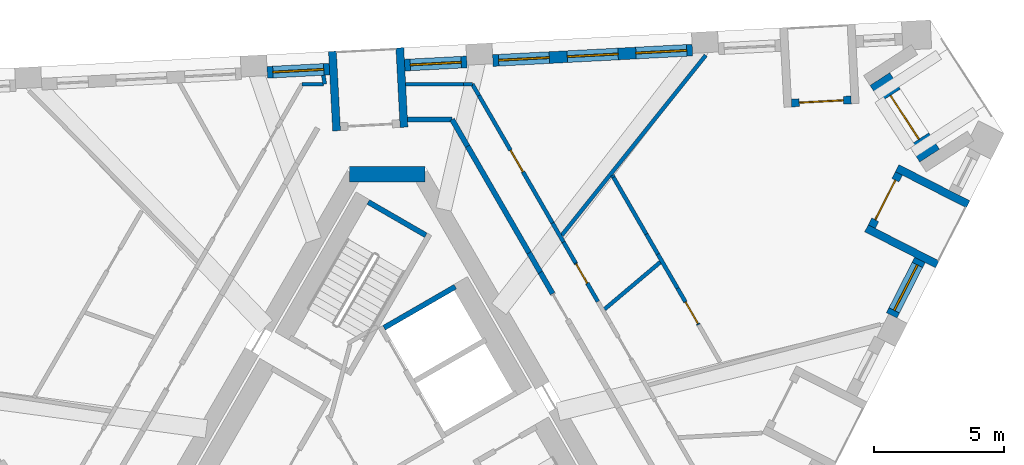
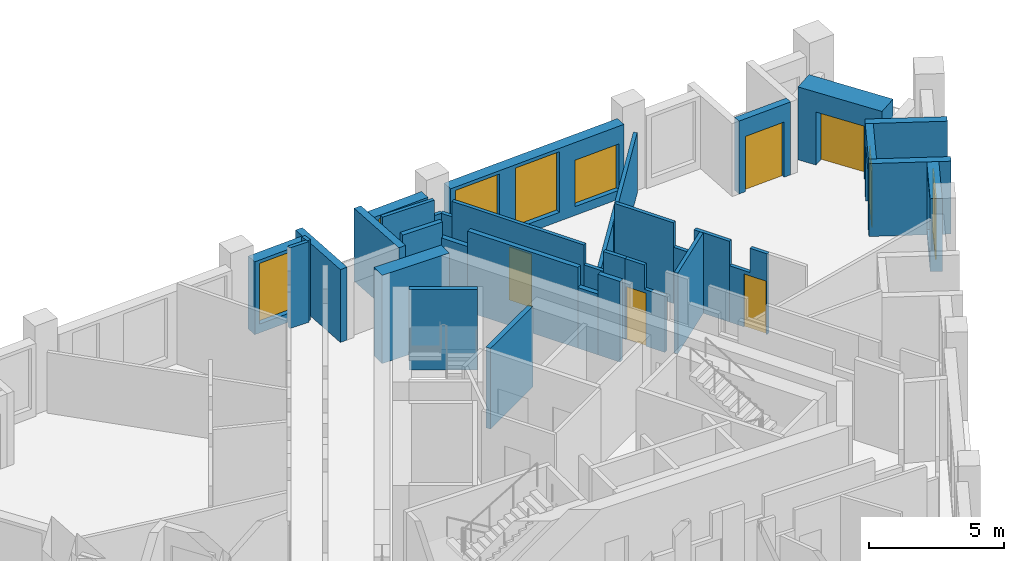
# One storey, part 7 of 12: 35 walls, 6 doors, 6 windows, 12 openings.
"""IFC4 building model written with IfcOpenShell, lengths in metres."""

import ifcopenshell
import ifcopenshell.guid

model = None  # the IFC model being written
_history = None  # IfcOwnerHistory: only IFC2X3 demands one
_inside = {}  # id of a spatial element -> (the spatial element, [elements in it])
_under = {}  # id of a project, library or spatial element -> (it, [spatial elements below it])
_declared = {}  # id of a project -> (the project, [libraries it declares])
_typed = {}  # id of a type object -> (the type object, [elements of that type])
_made_of = {}  # id of a material, layer set ... -> (it, [elements and type objects made of it])


def new_model(schema):
    """Start an empty IFC model of exactly this schema.

    Asked for "IFC4X3", IfcOpenShell would pick the latest addendum, in which some entities
    have other attributes; the version numbers below select the first issue.
    IFC2X3 requires an IfcOwnerHistory on every rooted entity: one is made here for all.
    """
    global model, _history
    if schema == "IFC4X3":
        model = ifcopenshell.file(schema_version=(4, 3, 0, 0))
    else:
        model = ifcopenshell.file(schema=schema)
    _inside.clear()
    _under.clear()
    _declared.clear()
    _typed.clear()
    _made_of.clear()
    _history = None
    if model.schema == "IFC2X3":
        org = make("IfcOrganization", Name="unknown")
        user = make(
            "IfcPersonAndOrganization",
            ThePerson=make("IfcPerson", FamilyName="unknown"),
            TheOrganization=org,
        )
        app = make(
            "IfcApplication",
            ApplicationDeveloper=org,
            Version="unknown",
            ApplicationFullName="unknown",
            ApplicationIdentifier="unknown",
        )
        _history = make(
            "IfcOwnerHistory",
            OwningUser=user,
            OwningApplication=app,
            ChangeAction="ADDED",
            CreationDate=0,
        )
    return model


def make(cls, **values):
    """One entity of the class cls with the attributes given. An attribute that is None is left unset."""
    return model.create_entity(
        cls, **{name: value for name, value in values.items() if value is not None}
    )


def rooted(cls, **values):
    """An entity with a GlobalId (a new one), such as an element, a storey or a relation."""
    return make(cls, GlobalId=ifcopenshell.guid.new(), OwnerHistory=_history, **values)


def si_unit(unit_type, name, prefix=None):
    """IfcSIUnit, for example si_unit("LENGTHUNIT", "METRE", prefix="MILLI")."""
    return make("IfcSIUnit", UnitType=unit_type, Prefix=prefix, Name=name)


def assignment(units):
    """IfcUnitAssignment: the units of a project."""
    return None if units is None else make("IfcUnitAssignment", Units=units)


def point(xyz):
    """IfcCartesianPoint."""
    return None if xyz is None else make("IfcCartesianPoint", Coordinates=xyz)


def direction(xyz):
    """IfcDirection."""
    return None if xyz is None else make("IfcDirection", DirectionRatios=xyz)


def frame(location, z_axis=None, x_axis=None):
    """IfcAxis2Placement3D, a coordinate frame: its origin and axes. An axis left out is left unset."""
    return make(
        "IfcAxis2Placement3D",
        Location=point(location),
        Axis=direction(z_axis),
        RefDirection=direction(x_axis),
    )


def frame_2d(location, x_axis=None):
    """IfcAxis2Placement2D, a coordinate frame in the plane: its origin and x axis."""
    return make(
        "IfcAxis2Placement2D", Location=point(location), RefDirection=direction(x_axis)
    )


def origin():
    """The frame at (0, 0, 0) with its axes left unset."""
    return frame((0.0, 0.0, 0.0))


def place(relative_to, where):
    """IfcLocalPlacement: puts the frame where relative to a parent placement (None: the world)."""
    return make(
        "IfcLocalPlacement", PlacementRelTo=relative_to, RelativePlacement=where
    )


def context(
    kind, dimensions, precision=None, world=None, true_north=None, identifier=None
):
    """IfcGeometricRepresentationContext, for example the 3D "Model" context."""
    return make(
        "IfcGeometricRepresentationContext",
        ContextIdentifier=identifier,
        ContextType=kind,
        CoordinateSpaceDimension=dimensions,
        Precision=precision,
        WorldCoordinateSystem=world,
        TrueNorth=true_north,
    )


def subcontext(parent, identifier, kind, view, scale=None):
    """IfcGeometricRepresentationSubContext, for example "Body" below "Model"."""
    return make(
        "IfcGeometricRepresentationSubContext",
        ContextIdentifier=identifier,
        ContextType=kind,
        ParentContext=parent,
        TargetScale=scale,
        TargetView=view,
    )


def project(units=None, contexts=None):
    """IfcProject with its units and contexts."""
    return rooted(
        "IfcProject",
        Name="project",
        RepresentationContexts=contexts,
        UnitsInContext=assignment(units),
    )


def spatial(cls, under=None, at=None, **own):
    """A site, building, storey or space (cls), placed at a placement, below another one or the project."""
    s = rooted(cls, ObjectPlacement=at, **own)
    if under is not None:
        _under.setdefault(under.id(), (under, []))[1].append(s)
    return s


def polyline(points):
    """IfcPolyline through the points."""
    return make("IfcPolyline", Points=[point(p) for p in points])


def profile(cls, at=None, kind="AREA", **sizes):
    """A parametric profile (cls). Its sizes go by their IFC names, for example OverallWidth=200.0."""
    return make(cls, ProfileType=kind, Position=at, **sizes)


def rectangle(**sizes):
    """IfcRectangleProfileDef."""
    return profile("IfcRectangleProfileDef", **sizes)


def outline(outer, holes=None, kind="AREA"):
    """IfcArbitraryClosedProfileDef: a profile drawn as a closed curve; with holes, ...WithVoids."""
    if holes is None:
        return make("IfcArbitraryClosedProfileDef", ProfileType=kind, OuterCurve=outer)
    return make(
        "IfcArbitraryProfileDefWithVoids",
        ProfileType=kind,
        OuterCurve=outer,
        InnerCurves=holes,
    )


def extrude(swept, where, along, depth):
    """IfcExtrudedAreaSolid: the profile swept, set in the frame where, extruded along a direction by depth."""
    return make(
        "IfcExtrudedAreaSolid",
        SweptArea=swept,
        Position=where,
        ExtrudedDirection=direction(along),
        Depth=depth,
    )


def shape(context_of_items, identifier, shape_type, items):
    """IfcShapeRepresentation: the items that make up one representation, for example the "Body"."""
    return make(
        "IfcShapeRepresentation",
        ContextOfItems=context_of_items,
        RepresentationIdentifier=identifier,
        RepresentationType=shape_type,
        Items=items,
    )


def material(Name=None, Category=None):
    """IfcMaterial."""
    return make("IfcMaterial", Name=Name, Category=Category)


def layer(
    of_material, thickness, ventilated=None, Name=None, Category=None, Priority=None
):
    """IfcMaterialLayer: one layer of a wall or slab, of a material (None: an air gap)."""
    return make(
        "IfcMaterialLayer",
        Material=of_material,
        LayerThickness=thickness,
        IsVentilated=ventilated,
        Name=Name,
        Category=Category,
        Priority=Priority,
    )


def layer_set(layers, Name=None):
    """IfcMaterialLayerSet."""
    return make("IfcMaterialLayerSet", MaterialLayers=layers, LayerSetName=Name)


def made_of(thing, what):
    """Note that an element or type object is made of a material, layer set ...; save() writes the relation."""
    if what is not None:
        _made_of.setdefault(what.id(), (what, []))[1].append(thing)
    return thing


def type_object(cls, material=None, **own):
    """A type object (cls), such as IfcWallType, which elements share."""
    return made_of(rooted(cls, **own), material)


def element(
    cls,
    number,
    at=None,
    inside=None,
    cuts=None,
    type_object=None,
    material=None,
    context=None,
    identifier="Body",
    shape_type=None,
    held_by="IfcProductDefinitionShape",
    body=None,
    shapes=None,
    **own,
):
    """One element of the class cls, such as IfcWall. Its Tag is "e" and its number.

    at: its placement. inside: the storey or other place that contains it. cuts: it is an
    opening in that element (IfcRelVoidsElement). A single representation is given by context,
    identifier, shape_type and body (its items); several are given by shapes. held_by: the class
    of the entity that holds the representations. save() writes the other relations.
    """
    e = rooted(cls, Tag="e%d" % number, ObjectPlacement=at, **own)
    if body is not None:
        shapes = [shape(context, identifier, shape_type, body)]
    if shapes is not None:
        e.Representation = make(held_by, Representations=shapes)
    if inside is not None:
        _inside.setdefault(inside.id(), (inside, []))[1].append(e)
    if cuts is not None:
        rooted(
            "IfcRelVoidsElement", RelatingBuildingElement=cuts, RelatedOpeningElement=e
        )
    if type_object is not None:
        _typed.setdefault(type_object.id(), (type_object, []))[1].append(e)
    return made_of(e, material)


def fill(opening, filler):
    """IfcRelFillsElement: the door or window that sits in an opening."""
    return rooted(
        "IfcRelFillsElement",
        RelatingOpeningElement=opening,
        RelatedBuildingElement=filler,
    )


def aggregate(whole, parts):
    """IfcRelAggregates: a whole, such as a stair, and the parts it consists of."""
    return rooted("IfcRelAggregates", RelatingObject=whole, RelatedObjects=parts)


def save(model, path):
    """Write the relations noted so far, then the file.

    IfcRelAggregates (storeys below a building ...), IfcRelContainedInSpatialStructure (elements
    in a storey), IfcRelDefinesByType, IfcRelAssociatesMaterial and IfcRelDeclares: one each for
    every whole, place, type object, material and project.
    """
    for whole, parts in _under.values():
        aggregate(whole, parts)
    for where, things in _inside.values():
        rooted(
            "IfcRelContainedInSpatialStructure",
            RelatedElements=things,
            RelatingStructure=where,
        )
    for kind, things in _typed.values():
        rooted("IfcRelDefinesByType", RelatedObjects=things, RelatingType=kind)
    for what, things in _made_of.values():
        rooted("IfcRelAssociatesMaterial", RelatedObjects=things, RelatingMaterial=what)
    for by, libraries in _declared.values():
        rooted("IfcRelDeclares", RelatingContext=by, RelatedDefinitions=libraries)
    model.write(path)


model = new_model("IFC4")

# Units and contexts
model_context = context("Model", 3, precision=1e-05, world=origin(), true_north=direction((0.0, 1.0)))
body_context = subcontext(model_context, "Body", "Model", "MODEL_VIEW")
ifc_project = project(units=[si_unit("LENGTHUNIT", "METRE"), si_unit("AREAUNIT", "SQUARE_METRE"), si_unit("VOLUMEUNIT", "CUBIC_METRE"), si_unit("PLANEANGLEUNIT", "RADIAN"), si_unit("MASSUNIT", "GRAM", prefix="KILO")], contexts=[model_context])

# Site, building, storey
site_placement = place(None, origin())
site = spatial("IfcSite", under=ifc_project, at=site_placement, CompositionType="ELEMENT")
building_placement = place(site_placement, origin())
building = spatial("IfcBuilding", under=site, at=building_placement, Name="Tramontana Tower", CompositionType="ELEMENT")
storey_placement = place(building_placement, frame((0.0, 0.0, 274.39990234375)))
storey = spatial("IfcBuildingStorey", under=building, at=storey_placement, Name="L64", CompositionType="ELEMENT", Elevation=274.39990234375)

# Walls
ifc_material_1 = material(Name="Concrete 70 MPa", Category="concrete")
ifc_layer_1 = layer(ifc_material_1, 0.60009765625)
ifc_layer_set_1 = layer_set([ifc_layer_1], Name="Core wall 600 70 MPa")
wall_type_1 = type_object("IfcWallType", Name="Core wall 600 70 MPa", PredefinedType="SHEAR", material=ifc_layer_set_1)
wall_1_placement = place(storey_placement, frame((1.443359375, 10.699951171875, 0.0), z_axis=(0.0, 0.0, 1.0), x_axis=(-1.0, 0.0, 0.0)))
element("IfcWall", 1, at=wall_1_placement, inside=storey, type_object=wall_type_1, Name="Core wall C0 L64", PredefinedType="SHEAR", context=body_context, shape_type="SweptSolid", body=[
    extrude(rectangle(XDim=2.88671875, YDim=0.60009765625, at=frame_2d((1.443359375, 0.0))), origin(), (0.0, 0.0, 1.0), 4.0),
])
ifc_material_2 = material(Name="Blockwork", Category="masonry")
ifc_layer_2 = layer(ifc_material_2, 0.199951171875)
ifc_layer_set_2 = layer_set([ifc_layer_2], Name="ENTRY WALL 200")
wall_type_2 = type_object("IfcWallType", Name="ENTRY WALL 200", PredefinedType="SOLIDWALL", material=ifc_layer_set_2)
wall_2_placement = place(storey_placement, frame((0.774658203125, 12.800048828125, 0.0), z_axis=(0.0, 0.0, 1.0), x_axis=(1.0, 0.0, 0.0)))
element("IfcWall", 2, at=wall_2_placement, inside=storey, type_object=wall_type_2, Name="Wall v70-ew4", PredefinedType="SOLIDWALL", context=body_context, shape_type="SweptSolid", body=[
    extrude(rectangle(XDim=1.7080078125, YDim=0.199951171875, at=frame_2d((0.85400390625, 0.0))), origin(), (0.0, 0.0, 1.0), 3.650146484375),
])
wall_3_placement = place(storey_placement, frame((2.482666015625, 12.800048828125, 0.0), z_axis=(0.0, 0.0, 1.0), x_axis=(0.499983247966, -0.86603507536, 0.0)))
element("IfcWall", 3, at=wall_3_placement, inside=storey, type_object=wall_type_2, Name="Wall v70-ew5-0", PredefinedType="SOLIDWALL", context=body_context, shape_type="SweptSolid", body=[
    extrude(rectangle(XDim=1.1884765625, YDim=0.199951171875, at=frame_2d((0.59423828125, 0.0))), origin(), (0.0, 0.0, 1.0), 2.9501953125),
])
wall_4_placement = place(storey_placement, frame((3.076904296875, 11.770751953125, 0.0), z_axis=(0.0, 0.0, 1.0), x_axis=(0.500007683529, -0.866020967652, 0.0)))
element("IfcWall", 4, at=wall_4_placement, inside=storey, type_object=wall_type_2, Name="Wall v70-ew5-1", PredefinedType="SOLIDWALL", context=body_context, shape_type="SweptSolid", body=[
    extrude(rectangle(XDim=4.71728515625, YDim=0.199951171875, at=frame_2d((2.358642578125, 0.0))), origin(), (0.0, 0.0, 1.0), 3.650146484375),
])
wall_5_placement = place(storey_placement, frame((5.435546875, 7.685546875, 0.0), z_axis=(0.0, 0.0, 1.0), x_axis=(0.500056482814, -0.86599279096, 0.0)))
element("IfcWall", 5, at=wall_5_placement, inside=storey, type_object=wall_type_2, Name="Wall v70-ew5-2", PredefinedType="SOLIDWALL", context=body_context, shape_type="SweptSolid", body=[
    extrude(rectangle(XDim=0.86474609375, YDim=0.199951171875, at=frame_2d((0.432373046875, 0.0))), origin(), (0.0, 0.0, 1.0), 2.75),
])
wall_6_placement = place(storey_placement, frame((5.867919921875, 6.936767578125, 0.0), z_axis=(0.0, 0.0, 1.0), x_axis=(0.499857464265, -0.866107681191, 0.0)))
element("IfcWall", 6, at=wall_6_placement, inside=storey, type_object=wall_type_2, Name="Wall v70-ew5-3", PredefinedType="SOLIDWALL", context=body_context, shape_type="SweptSolid", body=[
    extrude(rectangle(XDim=0.939208984375, YDim=0.199951171875, at=frame_2d((0.4697265625, 0.0))), origin(), (0.0, 0.0, 1.0), 3.650146484375),
])

# Wall, opening, window
ifc_material_3 = material(Name="Precast concrete 60 MPa", Category="concrete")
ifc_layer_3 = layer(ifc_material_3, 0.449951171875)
ifc_layer_set_3 = layer_set([ifc_layer_3], Name="Precast concrete 60 MPa, 450 mm")
wall_type_3 = type_object("IfcWallType", Name="EW1 Stone-faced precast wall 450", PredefinedType="SOLIDWALL", material=ifc_layer_set_3)
wall_7_placement = place(storey_placement, frame((19.333740234375, 5.28955078125, 0.0), z_axis=(0.0, 0.0, 1.0), x_axis=(0.453951830128, 0.891026226283, 0.0)))
wall_7 = element("IfcWall", 7, at=wall_7_placement, inside=storey, type_object=wall_type_3, Name="External wall L64 face 1 bay 5", PredefinedType="SOLIDWALL", context=body_context, shape_type="SweptSolid", body=[
    extrude(rectangle(XDim=2.38671875, YDim=0.449951171875, at=frame_2d((1.193359375, 0.0))), origin(), (0.0, 0.0, 1.0), 3.300048828125),
])
opening_1_placement = place(wall_7_placement, frame((0.21826171875, 0.0, 0.39990234375)))
opening_1 = element("IfcOpeningElement", 8, at=opening_1_placement, cuts=wall_7, Name="Opening M3", PredefinedType="OPENING", context=body_context, shape_type="SweptSolid", body=[
    extrude(rectangle(XDim=1.949951171875, YDim=2.75, at=frame_2d((0.97509765625, 1.375))), frame((0.0, 0.23486328125, 0.0), z_axis=(0.0, -1.0, 0.0), x_axis=(1.0, 0.0, 0.0)), (0.0, 0.0, 1.0), 0.469970703125),
])
ifc_material_4 = material(Name="Aluminum frame, double glazing unit", Category="aluminium")
window_type_1 = type_object("IfcWindowType", Name="M3 Window 1.95 x 2.75", PartitioningType="SINGLE_PANEL", PredefinedType="WINDOW", material=ifc_material_4)
window_1_placement = place(opening_1_placement, origin())
window_1 = element("IfcWindow", 9, at=window_1_placement, inside=storey, type_object=window_type_1, Name="Window M3 L64 face 1 module 13", OverallHeight=2.75, OverallWidth=1.949951171875, PartitioningType="SINGLE_PANEL", PredefinedType="WINDOW", context=body_context, shape_type="SweptSolid", body=[
    extrude(rectangle(XDim=1.949951171875, YDim=2.75, at=frame_2d((0.97509765625, 1.375))), frame((0.0, 0.030029296875, 0.0), z_axis=(0.0, -1.0, 0.0), x_axis=(1.0, 0.0, 0.0)), (0.0, 0.0, 1.0), 0.06005859375),
])
fill(opening_1, window_1)

# Wall, openings, windows
wall_8_placement = place(storey_placement, frame((11.697265625, 15.45849609375, 0.0), z_axis=(0.0, 0.0, 1.0), x_axis=(-0.998628023429, -0.052364786088, 0.0)))
wall_8 = element("IfcWall", 10, at=wall_8_placement, inside=storey, type_object=wall_type_3, Name="External wall L64 face 2 bay 2", PredefinedType="SOLIDWALL", context=body_context, shape_type="SweptSolid", body=[
    extrude(rectangle(XDim=7.66015625, YDim=0.449951171875, at=frame_2d((3.830078125, 0.0))), origin(), (0.0, 0.0, 1.0), 3.300048828125),
])
opening_2_placement = place(wall_8_placement, frame((0.21826171875, 0.0, 0.39990234375)))
opening_2 = element("IfcOpeningElement", 11, at=opening_2_placement, cuts=wall_8, Name="Opening M3L", PredefinedType="OPENING", context=body_context, shape_type="SweptSolid", body=[
    extrude(rectangle(XDim=1.949951171875, YDim=2.10009765625, at=frame_2d((0.97509765625, 1.050048828125))), frame((0.0, 0.23486328125, 0.0), z_axis=(0.0, -1.0, 0.0), x_axis=(1.0, 0.0, 0.0)), (0.0, 0.0, 1.0), 0.469970703125),
])
opening_3_placement = place(wall_8_placement, frame((2.855224609375, 0.0, 0.39990234375)))
opening_3 = element("IfcOpeningElement", 12, at=opening_3_placement, cuts=wall_8, Name="Opening M3", PredefinedType="OPENING", context=body_context, shape_type="SweptSolid", body=[
    extrude(rectangle(XDim=1.949951171875, YDim=2.75, at=frame_2d((0.97509765625, 1.375))), frame((0.0, 0.23486328125, 0.0), z_axis=(0.0, -1.0, 0.0), x_axis=(1.0, 0.0, 0.0)), (0.0, 0.0, 1.0), 0.469970703125),
])
opening_4_placement = place(wall_8_placement, frame((5.491943359375, 0.0, 0.39990234375)))
opening_4 = element("IfcOpeningElement", 13, at=opening_4_placement, cuts=wall_8, Name="Opening M3", PredefinedType="OPENING", context=body_context, shape_type="SweptSolid", body=[
    extrude(rectangle(XDim=1.949951171875, YDim=2.75, at=frame_2d((0.97509765625, 1.375))), frame((0.0, 0.23486328125, 0.0), z_axis=(0.0, -1.0, 0.0), x_axis=(1.0, 0.0, 0.0)), (0.0, 0.0, 1.0), 0.469970703125),
])
window_2_placement = place(opening_3_placement, origin())
window_2 = element("IfcWindow", 14, at=window_2_placement, inside=storey, type_object=window_type_1, Name="Window M3 L64 face 2 module 5", OverallHeight=2.75, OverallWidth=1.949951171875, PartitioningType="SINGLE_PANEL", PredefinedType="WINDOW", context=body_context, shape_type="SweptSolid", body=[
    extrude(rectangle(XDim=1.949951171875, YDim=2.75, at=frame_2d((0.97509765625, 1.375))), frame((0.0, 0.030029296875, 0.0), z_axis=(0.0, -1.0, 0.0), x_axis=(1.0, 0.0, 0.0)), (0.0, 0.0, 1.0), 0.06005859375),
])
fill(opening_3, window_2)
window_3_placement = place(opening_4_placement, origin())
window_3 = element("IfcWindow", 15, at=window_3_placement, inside=storey, type_object=window_type_1, Name="Window M3 L64 face 2 module 6", OverallHeight=2.75, OverallWidth=1.949951171875, PartitioningType="SINGLE_PANEL", PredefinedType="WINDOW", context=body_context, shape_type="SweptSolid", body=[
    extrude(rectangle(XDim=1.949951171875, YDim=2.75, at=frame_2d((0.97509765625, 1.375))), frame((0.0, 0.030029296875, 0.0), z_axis=(0.0, -1.0, 0.0), x_axis=(1.0, 0.0, 0.0)), (0.0, 0.0, 1.0), 0.06005859375),
])
fill(opening_4, window_3)
ifc_material_5 = material(Name="Aluminum frame, double glazing unit", Category="aluminium")
window_type_2 = type_object("IfcWindowType", Name="M3L Window 1.95 x 2.1", PartitioningType="SINGLE_PANEL", PredefinedType="WINDOW", material=ifc_material_5)
window_4_placement = place(opening_2_placement, origin())
window_4 = element("IfcWindow", 16, at=window_4_placement, inside=storey, type_object=window_type_2, Name="Window M3L L64 face 2 module 4", OverallHeight=2.10009765625, OverallWidth=1.949951171875, PartitioningType="SINGLE_PANEL", PredefinedType="WINDOW", context=body_context, shape_type="SweptSolid", body=[
    extrude(rectangle(XDim=1.949951171875, YDim=2.10009765625, at=frame_2d((0.97509765625, 1.050048828125))), frame((0.0, 0.030029296875, 0.0), z_axis=(0.0, -1.0, 0.0), x_axis=(1.0, 0.0, 0.0)), (0.0, 0.0, 1.0), 0.06005859375),
])
fill(opening_2, window_4)

# Wall, opening, window
wall_9_placement = place(storey_placement, frame((3.049072265625, 15.005126953125, 0.0), z_axis=(0.0, 0.0, 1.0), x_axis=(-0.998627701279, -0.052370929331, 0.0)))
wall_9 = element("IfcWall", 17, at=wall_9_placement, inside=storey, type_object=wall_type_3, Name="External wall L64 face 2 bay 3", PredefinedType="SOLIDWALL", context=body_context, shape_type="SweptSolid", body=[
    extrude(rectangle(XDim=2.38671875, YDim=0.449951171875, at=frame_2d((1.193359375, 0.0))), origin(), (0.0, 0.0, 1.0), 3.300048828125),
])
opening_5_placement = place(wall_9_placement, frame((0.21826171875, 0.0, 0.39990234375)))
opening_5 = element("IfcOpeningElement", 18, at=opening_5_placement, cuts=wall_9, Name="Opening M3", PredefinedType="OPENING", context=body_context, shape_type="SweptSolid", body=[
    extrude(rectangle(XDim=1.949951171875, YDim=2.75, at=frame_2d((0.97509765625, 1.375))), frame((0.0, 0.23486328125, 0.0), z_axis=(0.0, -1.0, 0.0), x_axis=(1.0, 0.0, 0.0)), (0.0, 0.0, 1.0), 0.469970703125),
])
window_5_placement = place(opening_5_placement, origin())
window_5 = element("IfcWindow", 19, at=window_5_placement, inside=storey, type_object=window_type_1, Name="Window M3 L64 face 2 module 7", OverallHeight=2.75, OverallWidth=1.949951171875, PartitioningType="SINGLE_PANEL", PredefinedType="WINDOW", context=body_context, shape_type="SweptSolid", body=[
    extrude(rectangle(XDim=1.949951171875, YDim=2.75, at=frame_2d((0.97509765625, 1.375))), frame((0.0, 0.030029296875, 0.0), z_axis=(0.0, -1.0, 0.0), x_axis=(1.0, 0.0, 0.0)), (0.0, 0.0, 1.0), 0.06005859375),
])
fill(opening_5, window_5)

wall_10_placement = place(storey_placement, frame((-2.21728515625, 14.729248046875, 0.0), z_axis=(0.0, 0.0, 1.0), x_axis=(-0.998627701279, -0.052370929331, 0.0)))
wall_10 = element("IfcWall", 20, at=wall_10_placement, inside=storey, type_object=wall_type_3, Name="External wall L64 face 2 bay 3", PredefinedType="SOLIDWALL", context=body_context, shape_type="SweptSolid", body=[
    extrude(rectangle(XDim=2.38671875, YDim=0.449951171875, at=frame_2d((1.193359375, 0.0))), origin(), (0.0, 0.0, 1.0), 3.300048828125),
])
opening_6_placement = place(wall_10_placement, frame((0.21826171875, 0.0, 0.39990234375)))
opening_6 = element("IfcOpeningElement", 21, at=opening_6_placement, cuts=wall_10, Name="Opening M3", PredefinedType="OPENING", context=body_context, shape_type="SweptSolid", body=[
    extrude(rectangle(XDim=1.949951171875, YDim=2.75, at=frame_2d((0.97509765625, 1.375))), frame((0.0, 0.23486328125, 0.0), z_axis=(0.0, -1.0, 0.0), x_axis=(1.0, 0.0, 0.0)), (0.0, 0.0, 1.0), 0.469970703125),
])
window_6_placement = place(opening_6_placement, origin())
window_6 = element("IfcWindow", 22, at=window_6_placement, inside=storey, type_object=window_type_1, Name="Window M3 L64 face 2 module 9", OverallHeight=2.75, OverallWidth=1.949951171875, PartitioningType="SINGLE_PANEL", PredefinedType="WINDOW", context=body_context, shape_type="SweptSolid", body=[
    extrude(rectangle(XDim=1.949951171875, YDim=2.75, at=frame_2d((0.97509765625, 1.375))), frame((0.0, 0.030029296875, 0.0), z_axis=(0.0, -1.0, 0.0), x_axis=(1.0, 0.0, 0.0)), (0.0, 0.0, 1.0), 0.06005859375),
])
fill(opening_6, window_6)

# Wall, opening, door
ifc_material_6 = material(Name="Precast concrete 60 MPa", Category="concrete")
ifc_layer_4 = layer(ifc_material_6, 0.89990234375)
ifc_layer_set_4 = layer_set([ifc_layer_4], Name="EW2 Stone-faced corner loggia wall 900")
wall_type_4 = type_object("IfcWallType", Name="EW2 Stone-faced corner loggia wall 900", PredefinedType="SOLIDWALL", material=ifc_layer_set_4)
wall_11_placement = place(storey_placement, frame((18.88134765625, 14.348388671875, 0.0), z_axis=(0.0, 0.0, 1.0), x_axis=(0.544647498784, -0.838665071449, 0.0)))
wall_11 = element("IfcWall", 23, at=wall_11_placement, inside=storey, type_object=wall_type_4, Name="Corner loggia wall L64 K72", PredefinedType="SOLIDWALL", context=body_context, shape_type="SweptSolid", body=[
    extrude(rectangle(XDim=3.5, YDim=0.89990234375, at=frame_2d((1.75, 0.0))), origin(), (0.0, 0.0, 1.0), 3.300048828125),
])
opening_7_placement = place(wall_11_placement, frame((0.75, 0.0, 0.0)))
opening_7 = element("IfcOpeningElement", 24, at=opening_7_placement, cuts=wall_11, Name="Opening BD-72C", PredefinedType="OPENING", context=body_context, shape_type="SweptSolid", body=[
    extrude(rectangle(XDim=2.0, YDim=2.39990234375, at=frame_2d((1.0, 1.199951171875))), frame((0.0, 0.4599609375, 0.0), z_axis=(0.0, -1.0, 0.0), x_axis=(1.0, 0.0, 0.0)), (0.0, 0.0, 1.0), 0.919921875),
])
ifc_material_7 = material(Name="Aluminum frame, double glazing unit", Category="aluminium")
door_type_1 = type_object("IfcDoorType", Name="BC1 Sliding door 2 x 2.4", OperationType="SLIDING_TO_LEFT", PredefinedType="DOOR", material=ifc_material_7)
door_1_placement = place(opening_7_placement, origin())
door_1 = element("IfcDoor", 25, at=door_1_placement, inside=storey, type_object=door_type_1, Name="Corner loggia door L64 K72", OperationType="SLIDING_TO_LEFT", OverallHeight=2.39990234375, OverallWidth=2.0, PredefinedType="DOOR", context=body_context, shape_type="SweptSolid", body=[
    extrude(rectangle(XDim=2.0, YDim=2.39990234375, at=frame_2d((1.0, 1.199951171875))), frame((0.0, 0.02490234375, 0.0), z_axis=(0.0, -1.0, 0.0), x_axis=(1.0, 0.0, 0.0)), (0.0, 0.0, 1.0), 0.050048828125),
])
fill(opening_7, door_1)

ifc_material_8 = material(Name="Precast concrete 60 MPa", Category="concrete")
ifc_layer_5 = layer(ifc_material_8, 0.300048828125)
ifc_layer_set_5 = layer_set([ifc_layer_5], Name="LW1 Stone-faced loggia wall 300")
wall_type_5 = type_object("IfcWallType", Name="LW1 Stone-faced loggia wall 300", PredefinedType="SOLIDWALL", material=ifc_layer_set_5)
wall_12_placement = place(storey_placement, frame((18.571044921875, 8.693603515625, 0.0), z_axis=(0.0, 0.0, 1.0), x_axis=(0.453948171533, 0.89102809022, 0.0)))
wall_12 = element("IfcWall", 26, at=wall_12_placement, inside=storey, type_object=wall_type_5, Name="Loggia wall L64 G7S1.13", PredefinedType="SOLIDWALL", context=body_context, shape_type="SweptSolid", body=[
    extrude(rectangle(XDim=2.286865234375, YDim=0.300048828125, at=frame_2d((1.1435546875, 0.0))), origin(), (0.0, 0.0, 1.0), 3.300048828125),
])
opening_8_placement = place(wall_12_placement, frame((0.29345703125, 0.0, 0.0)))
opening_8 = element("IfcOpeningElement", 27, at=opening_8_placement, cuts=wall_12, Name="Opening BD-7S1-13", PredefinedType="OPENING", context=body_context, shape_type="SweptSolid", body=[
    extrude(rectangle(XDim=1.699951171875, YDim=2.5, at=frame_2d((0.85009765625, 1.25))), frame((0.0, 0.159912109375, 0.0), z_axis=(0.0, -1.0, 0.0), x_axis=(1.0, 0.0, 0.0)), (0.0, 0.0, 1.0), 0.320068359375),
])
ifc_material_9 = material(Name="Aluminum frame, double glazing unit", Category="aluminium")
door_type_2 = type_object("IfcDoorType", Name="BD3 Sliding door 1.7 x 2.5", OperationType="SLIDING_TO_LEFT", PredefinedType="DOOR", material=ifc_material_9)
door_2_placement = place(opening_8_placement, origin())
door_2 = element("IfcDoor", 28, at=door_2_placement, inside=storey, type_object=door_type_2, Name="Loggia door L64 G7S1.13", OperationType="SLIDING_TO_LEFT", OverallHeight=2.5, OverallWidth=1.699951171875, PredefinedType="DOOR", context=body_context, shape_type="SweptSolid", body=[
    extrude(rectangle(XDim=1.699951171875, YDim=2.5, at=frame_2d((0.85009765625, 1.25))), frame((0.0, 0.02490234375, 0.0), z_axis=(0.0, -1.0, 0.0), x_axis=(1.0, 0.0, 0.0)), (0.0, 0.0, 1.0), 0.050048828125),
])
fill(opening_8, door_2)

# Walls
for number, where, z_axis, x_axis, name in (
    (29, (21.086669921875, 7.243408203125, 0.0), (0.0, 0.0, 1.0), (-0.890991233495, 0.454020508165, 0.0), "Loggia return L64 G7S1.13a"),
    (30, (22.26123046875, 9.54833984375, 0.0), (0.0, 0.0, 1.0), (-0.891040107702, 0.453924582355, 0.0), "Loggia return L64 G7S1.13b"),
):
    element("IfcWall", number, at=place(storey_placement, frame(where, z_axis=z_axis, x_axis=x_axis)), inside=storey, type_object=wall_type_5, Name=name, PredefinedType="SOLIDWALL", context=body_context, shape_type="SweptSolid", body=[
        extrude(rectangle(XDim=3.050048828125, YDim=0.300048828125, at=frame_2d((1.52490234375, 0.0))), origin(), (0.0, 0.0, 1.0), 3.300048828125),
    ])

# Wall, opening, door
wall_13_placement = place(storey_placement, frame((17.779052734375, 13.549072265625, 0.0), z_axis=(0.0, 0.0, 1.0), x_axis=(-0.998630483018, -0.052317859155, 0.0)))
wall_13 = element("IfcWall", 31, at=wall_13_placement, inside=storey, type_object=wall_type_5, Name="Loggia wall L64 G7S2.1", PredefinedType="SOLIDWALL", context=body_context, shape_type="SweptSolid", body=[
    extrude(rectangle(XDim=2.28662109375, YDim=0.300048828125, at=frame_2d((1.143310546875, 0.0))), origin(), (0.0, 0.0, 1.0), 3.300048828125),
])
opening_9_placement = place(wall_13_placement, frame((0.29345703125, 0.0, 0.0)))
opening_9 = element("IfcOpeningElement", 32, at=opening_9_placement, cuts=wall_13, Name="Opening BD-7S2-01", PredefinedType="OPENING", context=body_context, shape_type="SweptSolid", body=[
    extrude(rectangle(XDim=1.699951171875, YDim=2.5, at=frame_2d((0.85009765625, 1.25))), frame((0.0, 0.159912109375, 0.0), z_axis=(0.0, -1.0, 0.0), x_axis=(1.0, 0.0, 0.0)), (0.0, 0.0, 1.0), 0.320068359375),
])
door_3_placement = place(opening_9_placement, origin())
door_3 = element("IfcDoor", 33, at=door_3_placement, inside=storey, type_object=door_type_2, Name="Loggia door L64 G7S2.1", OperationType="SLIDING_TO_LEFT", OverallHeight=2.5, OverallWidth=1.699951171875, PredefinedType="DOOR", context=body_context, shape_type="SweptSolid", body=[
    extrude(rectangle(XDim=1.699951171875, YDim=2.5, at=frame_2d((0.85009765625, 1.25))), frame((0.0, 0.02490234375, 0.0), z_axis=(0.0, -1.0, 0.0), x_axis=(1.0, 0.0, 0.0)), (0.0, 0.0, 1.0), 0.050048828125),
])
fill(opening_9, door_3)

# Walls
wall_14_placement = place(storey_placement, frame((0.48046875, 15.54638671875, 0.0), z_axis=(0.0, 0.0, 1.0), x_axis=(0.052352956549, -0.998628643661, 0.0)))
element("IfcWall", 34, at=wall_14_placement, inside=storey, type_object=wall_type_5, Name="Loggia return L64 G7S2.7a", PredefinedType="SOLIDWALL", context=body_context, shape_type="SweptSolid", body=[
    extrude(rectangle(XDim=3.0498046875, YDim=0.300048828125, at=frame_2d((1.52490234375, 0.0))), origin(), (0.0, 0.0, 1.0), 3.300048828125),
])
wall_15_placement = place(storey_placement, frame((-2.102783203125, 15.4111328125, 0.0), z_axis=(0.0, 0.0, 1.0), x_axis=(0.052348771756, -0.99862886304, 0.0)))
element("IfcWall", 35, at=wall_15_placement, inside=storey, type_object=wall_type_5, Name="Loggia return L64 G7S2.7b", PredefinedType="SOLIDWALL", context=body_context, shape_type="SweptSolid", body=[
    extrude(rectangle(XDim=3.050048828125, YDim=0.300048828125, at=frame_2d((1.52490234375, 0.0))), origin(), (0.0, 0.0, 1.0), 3.300048828125),
])
ifc_material_10 = material(Name="Gypsum board partition")
ifc_layer_6 = layer(ifc_material_10, 0.14990234375)
ifc_layer_set_6 = layer_set([ifc_layer_6], Name="PARTITION 150")
wall_type_6 = type_object("IfcWallType", Name="PARTITION 150", PredefinedType="PARTITIONING", material=ifc_layer_set_6)
wall_16_placement = place(storey_placement, frame((-3.261962890625, 14.14990234375, 0.0), z_axis=(0.0, 0.0, 1.0), x_axis=(1.0, 0.0, 0.0)))
element("IfcWall", 36, at=wall_16_placement, inside=storey, type_object=wall_type_6, Name="Wall v70-pw12", PredefinedType="PARTITIONING", context=body_context, shape_type="SweptSolid", body=[
    extrude(rectangle(XDim=0.82373046875, YDim=0.14990234375, at=frame_2d((0.411865234375, 0.0))), origin(), (0.0, 0.0, 1.0), 3.650146484375),
])
wall_17_placement = place(storey_placement, frame((-2.394287109375, 14.15478515625, 0.0), z_axis=(0.0, 0.0, 1.0), x_axis=(-0.16729669573, 0.985906595778, 0.0)))
element("IfcWall", 37, at=wall_17_placement, inside=storey, type_object=wall_type_6, Name="Wall v70-pw13", PredefinedType="PARTITIONING", context=body_context, shape_type="SweptSolid", body=[
    extrude(rectangle(XDim=0.341552734375, YDim=0.14990234375, at=frame_2d((0.1708984375, 0.0))), origin(), (0.0, 0.0, 1.0), 3.650146484375),
])
wall_18_placement = place(storey_placement, frame((0.703857421875, 14.14990234375, 0.0), z_axis=(0.0, 0.0, 1.0), x_axis=(1.0, 0.0, 0.0)))
element("IfcWall", 38, at=wall_18_placement, inside=storey, type_object=wall_type_6, Name="Wall v70-pw15-0", PredefinedType="PARTITIONING", context=body_context, shape_type="SweptSolid", body=[
    extrude(rectangle(XDim=2.216796875, YDim=0.14990234375, at=frame_2d((1.1083984375, 0.0))), origin(), (0.0, 0.0, 1.0), 3.650146484375),
])
wall_19_placement = place(storey_placement, frame((2.920654296875, 14.14990234375, 0.0), z_axis=(0.0, 0.0, 1.0), x_axis=(1.0, 0.0, 0.0)))
element("IfcWall", 39, at=wall_19_placement, inside=storey, type_object=wall_type_6, Name="Wall v70-pw15-1", PredefinedType="PARTITIONING", context=body_context, shape_type="SweptSolid", body=[
    extrude(rectangle(XDim=0.34130859375, YDim=0.14990234375, at=frame_2d((0.170654296875, 0.0))), origin(), (0.0, 0.0, 1.0), 2.9501953125),
])
wall_20_placement = place(storey_placement, frame((3.261962890625, 14.14990234375, 0.0), z_axis=(0.0, 0.0, 1.0), x_axis=(0.500115484592, -0.865958718457, 0.0)))
element("IfcWall", 40, at=wall_20_placement, inside=storey, type_object=wall_type_6, Name="Wall v70-pw18-0", PredefinedType="PARTITIONING", context=body_context, shape_type="SweptSolid", body=[
    extrude(rectangle(XDim=0.501953125, YDim=0.14990234375, at=frame_2d((0.2509765625, 0.0))), origin(), (0.0, 0.0, 1.0), 2.9501953125),
])

# Wall, opening, door
wall_21_placement = place(storey_placement, frame((3.512939453125, 13.71533203125, 0.0), z_axis=(0.0, 0.0, 1.0), x_axis=(0.500019542665, -0.866014120528, 0.0)))
wall_21 = element("IfcWall", 41, at=wall_21_placement, inside=storey, type_object=wall_type_6, Name="Wall v70-pw18-1", PredefinedType="PARTITIONING", context=body_context, shape_type="SweptSolid", body=[
    extrude(rectangle(XDim=5.643310546875, YDim=0.14990234375, at=frame_2d((2.82177734375, 0.0))), origin(), (0.0, 0.0, 1.0), 3.650146484375),
])
opening_10_placement = place(wall_21_placement, frame((2.42236328125, 0.0, 0.0)))
opening_10 = element("IfcOpeningElement", 42, at=opening_10_placement, cuts=wall_21, Name="Opening B7A-18", PredefinedType="OPENING", context=body_context, shape_type="SweptSolid", body=[
    extrude(rectangle(XDim=0.949951171875, YDim=2.39990234375, at=frame_2d((0.47509765625, 1.199951171875))), frame((0.0, 0.0849609375, 0.0), z_axis=(0.0, -1.0, 0.0), x_axis=(1.0, 0.0, 0.0)), (0.0, 0.0, 1.0), 0.169921875),
])
ifc_material_11 = material(Name="Painted timber", Category="wood")
door_type_3 = type_object("IfcDoorType", Name="DOOR ROOM 950", OperationType="SINGLE_SWING_LEFT", PredefinedType="DOOR", material=ifc_material_11)
door_4_placement = place(opening_10_placement, origin())
door_4 = element("IfcDoor", 43, at=door_4_placement, inside=storey, type_object=door_type_3, Name="Door B7A-18", OperationType="SINGLE_SWING_RIGHT", OverallHeight=2.39990234375, OverallWidth=0.949951171875, PredefinedType="DOOR", context=body_context, shape_type="SweptSolid", body=[
    extrude(rectangle(XDim=0.949951171875, YDim=2.39990234375, at=frame_2d((0.47509765625, 1.199951171875))), frame((0.0, 0.02490234375, 0.0), z_axis=(0.0, -1.0, 0.0), x_axis=(1.0, 0.0, 0.0)), (0.0, 0.0, 1.0), 0.050048828125),
])
fill(opening_10, door_4)

# Walls
wall_22_placement = place(storey_placement, frame((6.334716796875, 8.828125, 0.0), z_axis=(0.0, 0.0, 1.0), x_axis=(0.499932737185, -0.866064234506, 0.0)))
element("IfcWall", 44, at=wall_22_placement, inside=storey, type_object=wall_type_6, Name="Wall v70-pw18-2", PredefinedType="PARTITIONING", context=body_context, shape_type="SweptSolid", body=[
    extrude(rectangle(XDim=0.83740234375, YDim=0.14990234375, at=frame_2d((0.418701171875, 0.0))), origin(), (0.0, 0.0, 1.0), 2.75),
])
wall_23_placement = place(storey_placement, frame((6.75341796875, 8.102783203125, 0.0), z_axis=(0.0, 0.0, 1.0), x_axis=(0.499882215713, -0.866093395895, 0.0)))
element("IfcWall", 45, at=wall_23_placement, inside=storey, type_object=wall_type_6, Name="Wall v70-pw18-3", PredefinedType="PARTITIONING", context=body_context, shape_type="SweptSolid", body=[
    extrude(rectangle(XDim=0.926025390625, YDim=0.14990234375, at=frame_2d((0.462890625, 0.0))), origin(), (0.0, 0.0, 1.0), 3.650146484375),
])

# Wall, opening, door
wall_24_placement = place(storey_placement, frame((7.21630859375, 7.30078125, 0.0), z_axis=(0.0, 0.0, 1.0), x_axis=(0.500056273262, -0.865992911964, 0.0)))
wall_24 = element("IfcWall", 46, at=wall_24_placement, inside=storey, type_object=wall_type_6, Name="Wall v70-pw18-4", PredefinedType="PARTITIONING", context=body_context, shape_type="SweptSolid", body=[
    extrude(outline(polyline([(0.0, 0.0), (1.709228515625, 0.0), (1.709228515625, 2.550048828125), (0.824951171875, 2.550048828125), (0.824951171875, 3.650146484375), (0.0, 3.650146484375), (0.0, 0.0)])), frame((0.0, 0.074951171875, 0.0), z_axis=(0.0, -1.0, 0.0), x_axis=(1.0, 0.0, 0.0)), (0.0, 0.0, 1.0), 0.14990234375),
])
opening_11_placement = place(wall_24_placement, frame((0.050048828125, 0.0, 0.0)))
opening_11 = element("IfcOpeningElement", 47, at=opening_11_placement, cuts=wall_24, Name="Opening B7A-15", PredefinedType="OPENING", context=body_context, shape_type="SweptSolid", body=[
    extrude(rectangle(XDim=0.85009765625, YDim=2.39990234375, at=frame_2d((0.425048828125, 1.199951171875))), frame((0.0, 0.0849609375, 0.0), z_axis=(0.0, -1.0, 0.0), x_axis=(1.0, 0.0, 0.0)), (0.0, 0.0, 1.0), 0.169921875),
])
ifc_material_12 = material(Name="Painted timber", Category="wood")
door_type_4 = type_object("IfcDoorType", Name="DOOR BATH 850", OperationType="SINGLE_SWING_LEFT", PredefinedType="DOOR", material=ifc_material_12)
door_5_placement = place(opening_11_placement, origin())
door_5 = element("IfcDoor", 48, at=door_5_placement, inside=storey, type_object=door_type_4, Name="Door B7A-15", OperationType="SINGLE_SWING_LEFT", OverallHeight=2.39990234375, OverallWidth=0.85009765625, PredefinedType="DOOR", context=body_context, shape_type="SweptSolid", body=[
    extrude(rectangle(XDim=0.85009765625, YDim=2.39990234375, at=frame_2d((0.425048828125, 1.199951171875))), frame((0.0, 0.02490234375, 0.0), z_axis=(0.0, -1.0, 0.0), x_axis=(1.0, 0.0, 0.0)), (0.0, 0.0, 1.0), 0.050048828125),
])
fill(opening_11, door_5)

# Walls
wall_25_placement = place(storey_placement, frame((6.690185546875, 8.3623046875, 0.0), z_axis=(0.0, 0.0, 1.0), x_axis=(0.624718641323, 0.780849933843, 0.0)))
element("IfcWall", 49, at=wall_25_placement, inside=storey, type_object=wall_type_6, Name="Wall v70-pw22-0", PredefinedType="PARTITIONING", context=body_context, shape_type="SweptSolid", body=[
    extrude(rectangle(XDim=8.833251953125, YDim=0.14990234375, at=frame_2d((4.41650390625, 0.0))), origin(), (0.0, 0.0, 1.0), 2.75),
])
wall_26_placement = place(storey_placement, frame((8.327880859375, 5.52587890625, 0.0), z_axis=(0.0, 0.0, 1.0), x_axis=(0.764108404466, 0.645087859306, 0.0)))
element("IfcWall", 50, at=wall_26_placement, inside=storey, type_object=wall_type_6, Name="Wall v70-pw23", PredefinedType="PARTITIONING", context=body_context, shape_type="SweptSolid", body=[
    extrude(rectangle(XDim=2.793701171875, YDim=0.14990234375, at=frame_2d((1.39697265625, 0.0))), origin(), (0.0, 0.0, 1.0), 3.650146484375),
])
wall_27_placement = place(storey_placement, frame((8.625244140625, 10.660888671875, 0.0), z_axis=(0.0, 0.0, 1.0), x_axis=(0.499332966107, -0.866410173624, 0.0)))
element("IfcWall", 51, at=wall_27_placement, inside=storey, type_object=wall_type_6, Name="Wall v70-pw24-0", PredefinedType="PARTITIONING", context=body_context, shape_type="SweptSolid", body=[
    extrude(rectangle(XDim=0.09033203125, YDim=0.14990234375, at=frame_2d((0.045166015625, 0.0))), origin(), (0.0, 0.0, 1.0), 2.75),
])
wall_28_placement = place(storey_placement, frame((8.67041015625, 10.58251953125, 0.0), z_axis=(0.0, 0.0, 1.0), x_axis=(0.499938053331, -0.866061165757, 0.0)))
element("IfcWall", 52, at=wall_28_placement, inside=storey, type_object=wall_type_6, Name="Wall v70-pw24-1", PredefinedType="PARTITIONING", context=body_context, shape_type="SweptSolid", body=[
    extrude(rectangle(XDim=2.515869140625, YDim=0.14990234375, at=frame_2d((1.2578125, 0.0))), origin(), (0.0, 0.0, 1.0), 3.650146484375),
])
wall_29_placement = place(storey_placement, frame((9.92822265625, 8.403564453125, 0.0), z_axis=(0.0, 0.0, 1.0), x_axis=(0.500176418896, -0.865923524325, 0.0)))
element("IfcWall", 53, at=wall_29_placement, inside=storey, type_object=wall_type_6, Name="Wall v70-pw24-2", PredefinedType="PARTITIONING", context=body_context, shape_type="SweptSolid", body=[
    extrude(rectangle(XDim=0.884521484375, YDim=0.14990234375, at=frame_2d((0.4423828125, 0.0))), origin(), (0.0, 0.0, 1.0), 2.550048828125),
])
wall_30_placement = place(storey_placement, frame((10.37060546875, 7.6376953125, 0.0), z_axis=(0.0, 0.0, 1.0), x_axis=(0.499983823482, -0.8660347431, 0.0)))
element("IfcWall", 54, at=wall_30_placement, inside=storey, type_object=wall_type_6, Name="Wall v70-pw24-3", PredefinedType="PARTITIONING", context=body_context, shape_type="SweptSolid", body=[
    extrude(rectangle(XDim=1.50927734375, YDim=0.14990234375, at=frame_2d((0.754638671875, 0.0))), origin(), (0.0, 0.0, 1.0), 3.650146484375),
])

# Wall, opening, door
wall_31_placement = place(storey_placement, frame((11.125244140625, 6.33056640625, 0.0), z_axis=(0.0, 0.0, 1.0), x_axis=(0.500058405483, -0.865991680737, 0.0)))
wall_31 = element("IfcWall", 55, at=wall_31_placement, inside=storey, type_object=wall_type_6, Name="Wall v70-pw24-4", PredefinedType="PARTITIONING", context=body_context, shape_type="SweptSolid", body=[
    extrude(outline(polyline([(0.0, 0.0), (1.614501953125, 0.0), (1.614501953125, 3.650146484375), (0.875732421875, 3.650146484375), (0.875732421875, 2.550048828125), (0.0, 2.550048828125), (0.0, 0.0)])), frame((0.0, 0.074951171875, 0.0), z_axis=(0.0, -1.0, 0.0), x_axis=(1.0, 0.0, 0.0)), (0.0, 0.0, 1.0), 0.14990234375),
])
opening_12_placement = place(wall_31_placement, frame((0.614501953125, 0.0, 0.0)))
opening_12 = element("IfcOpeningElement", 56, at=opening_12_placement, cuts=wall_31, Name="Opening B7A-20", PredefinedType="OPENING", context=body_context, shape_type="SweptSolid", body=[
    extrude(rectangle(XDim=0.949951171875, YDim=2.39990234375, at=frame_2d((0.47509765625, 1.199951171875))), frame((0.0, 0.0849609375, 0.0), z_axis=(0.0, -1.0, 0.0), x_axis=(1.0, 0.0, 0.0)), (0.0, 0.0, 1.0), 0.169921875),
])
door_6_placement = place(opening_12_placement, origin())
door_6 = element("IfcDoor", 57, at=door_6_placement, inside=storey, type_object=door_type_3, Name="Door B7A-20", OperationType="SINGLE_SWING_RIGHT", OverallHeight=2.39990234375, OverallWidth=0.949951171875, PredefinedType="DOOR", context=body_context, shape_type="SweptSolid", body=[
    extrude(rectangle(XDim=0.949951171875, YDim=2.39990234375, at=frame_2d((0.47509765625, 1.199951171875))), frame((0.0, 0.02490234375, 0.0), z_axis=(0.0, -1.0, 0.0), x_axis=(1.0, 0.0, 0.0)), (0.0, 0.0, 1.0), 0.050048828125),
])
fill(opening_12, door_6)

# Walls
ifc_material_13 = material(Name="Concrete 70 MPa", Category="concrete")
ifc_layer_7 = layer(ifc_material_13, 0.199951171875)
ifc_layer_set_7 = layer_set([ifc_layer_7], Name="Concrete 70 MPa, 200 mm")
wall_type_7 = type_object("IfcWallType", Name="RC STAIR AND SHAFT WALL 200", PredefinedType="SOLIDWALL", material=ifc_layer_set_7)
wall_32_placement = place(storey_placement, frame((1.478515625, 8.36083984375, 0.0), z_axis=(0.0, 0.0, 1.0), x_axis=(-0.865989465428, 0.500062241894, 0.0)))
element("IfcWall", 58, at=wall_32_placement, inside=storey, type_object=wall_type_7, Name="Wall st1-far", PredefinedType="SOLIDWALL", context=body_context, shape_type="SweptSolid", body=[
    extrude(rectangle(XDim=2.550048828125, YDim=0.199951171875, at=frame_2d((1.27490234375, 0.0))), origin(), (0.0, 0.0, 1.0), 3.650146484375),
])
wall_33_placement = place(storey_placement, frame((-0.123046875, 4.813232421875, 0.0), z_axis=(0.0, 0.0, 1.0), x_axis=(0.866016494683, 0.500015430699, 0.0)))
element("IfcWall", 59, at=wall_33_placement, inside=storey, type_object=wall_type_7, Name="Wall row2-side2", PredefinedType="SOLIDWALL", context=body_context, shape_type="SweptSolid", body=[
    extrude(rectangle(XDim=3.14990234375, YDim=0.199951171875, at=frame_2d((1.574951171875, 0.0))), origin(), (0.0, 0.0, 1.0), 3.650146484375),
])

save(model, "model.ifc")
